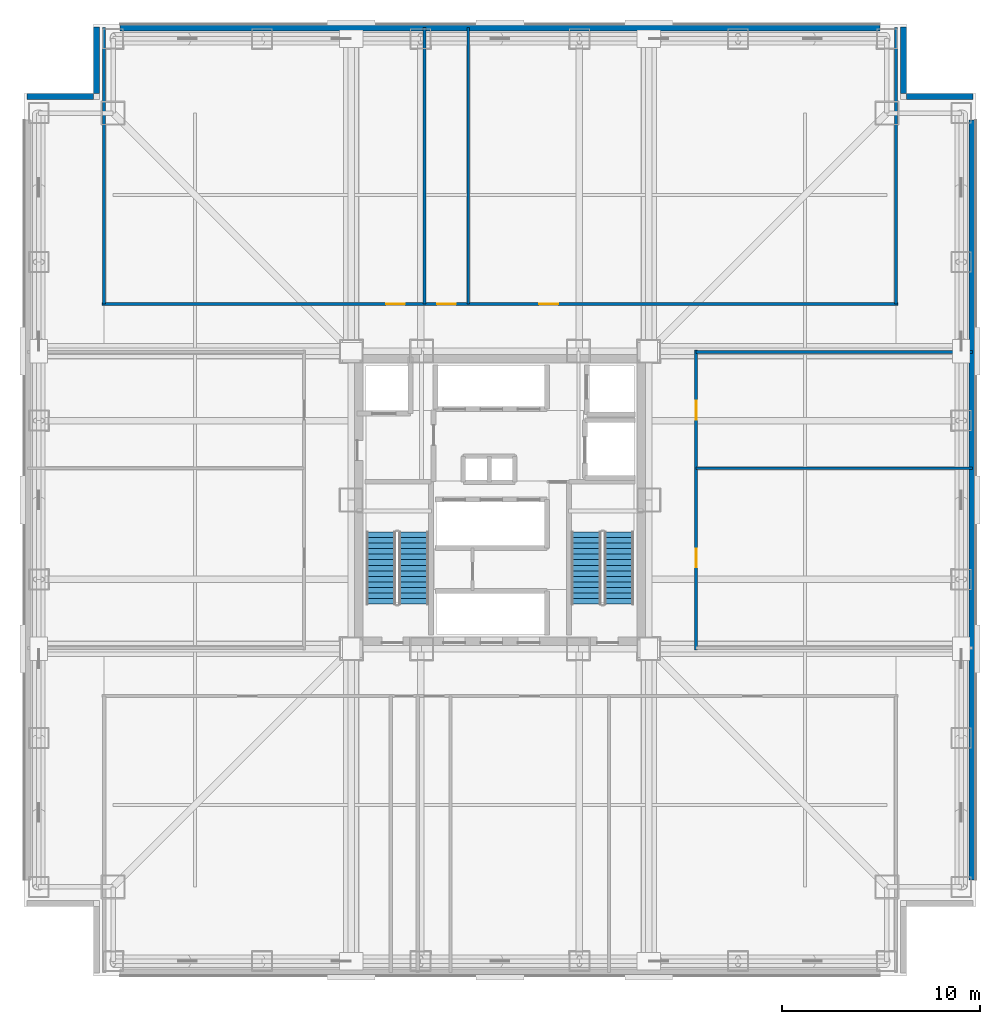
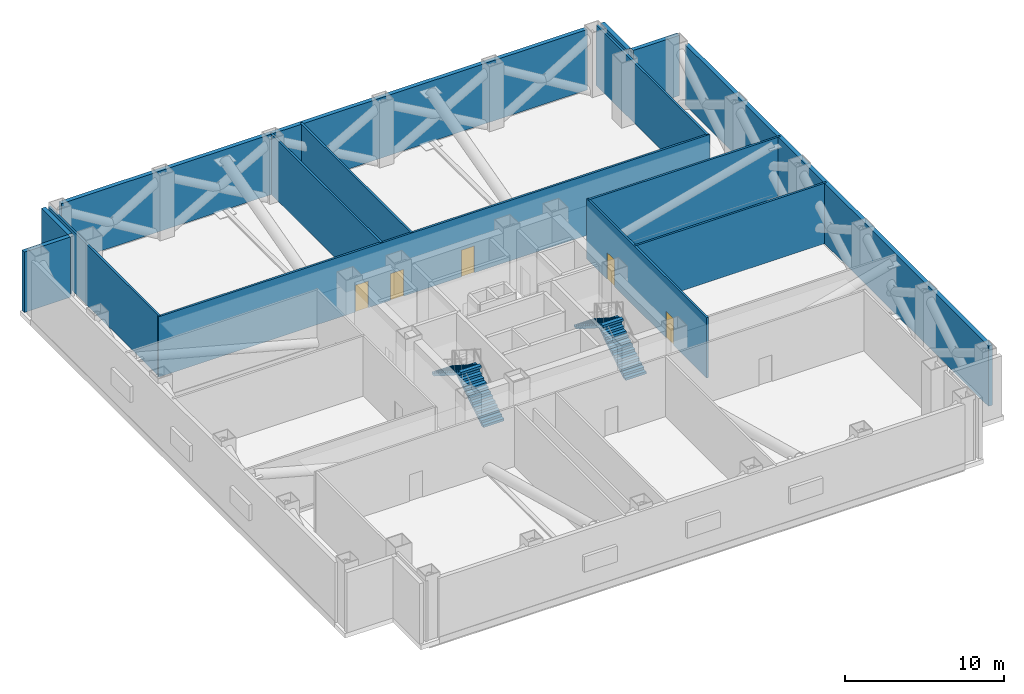
# One storey, part 5 of 8: 14 walls, 5 doors, 4 stair flights, 5 openings, 2 elements without a shape of their own.
"""IFC4 building model written with IfcOpenShell, lengths in metres."""

from ifc_helpers import new_model, si_unit, direction, frame, frame_2d, origin, place, context, subcontext, project, spatial, polyline, rectangle, outline, extrude, material, layer, layer_set, type_object, element, fill, aggregate, save


model = new_model("IFC4")

# Units and contexts
model_context = context("Model", 3, precision=1e-05, world=origin(), true_north=direction((0.0, 1.0)))
body_context = subcontext(model_context, "Body", "Model", "MODEL_VIEW")
ifc_project = project(units=[si_unit("LENGTHUNIT", "METRE"), si_unit("AREAUNIT", "SQUARE_METRE"), si_unit("VOLUMEUNIT", "CUBIC_METRE"), si_unit("PLANEANGLEUNIT", "RADIAN"), si_unit("MASSUNIT", "GRAM", prefix="KILO")], contexts=[model_context])

# Site, building, storey
site_placement = place(None, origin())
site = spatial("IfcSite", under=ifc_project, at=site_placement, CompositionType="ELEMENT")
building_placement = place(site_placement, origin())
building = spatial("IfcBuilding", under=site, at=building_placement, Name="Trevonay Congress Spire", CompositionType="ELEMENT")
storey_placement = place(building_placement, frame((0.0, 0.0, 83.0)))
storey = spatial("IfcBuildingStorey", under=building, at=storey_placement, Name="L21", CompositionType="ELEMENT", Elevation=83.0)

# Wall, openings, doors
ifc_material_1 = material(Name="Concrete C40/50", Category="concrete")
ifc_layer_1 = layer(ifc_material_1, 0.14990234375, Name="Concrete C40/50")
ifc_layer_set_1 = layer_set([ifc_layer_1], Name="Concrete C40/50")
wall_type_1 = type_object("IfcWallType", Name="WAL-CORR-150", PredefinedType="PARTITIONING", material=ifc_layer_set_1)
wall_1_placement = place(storey_placement, frame((-20.070068359375, 9.8798828125, 0.0), z_axis=(0.0, 0.0, 1.0), x_axis=(1.0, 0.0, 0.0)))
wall_1 = element("IfcWall", 1, at=wall_1_placement, inside=storey, type_object=wall_type_1, Name="L21 interior wall WP-L21N-COR", PredefinedType="PARTITIONING", context=body_context, shape_type="SweptSolid", body=[
    extrude(rectangle(XDim=40.14013671875, YDim=0.14990234375, at=frame_2d((20.070068359375, 0.0))), origin(), (0.0, 0.0, 1.0), 4.64990234375),
])
opening_1_placement = place(wall_1_placement, frame((14.324951171875, 0.0, 0.0)))
opening_1 = element("IfcOpeningElement", 2, at=opening_1_placement, cuts=wall_1, Name="Opening D07", PredefinedType="OPENING", context=body_context, shape_type="SweptSolid", body=[
    extrude(rectangle(XDim=0.949951171875, YDim=2.06005859375, at=frame_2d((0.47509765625, 1.030029296875))), frame((0.0, 0.0849609375, 0.0), z_axis=(0.0, -1.0, 0.0), x_axis=(1.0, 0.0, 0.0)), (0.0, 0.0, 1.0), 0.169921875),
])
opening_2_placement = place(wall_1_placement, frame((16.89501953125, 0.0, 0.0)))
opening_2 = element("IfcOpeningElement", 3, at=opening_2_placement, cuts=wall_1, Name="Opening D07", PredefinedType="OPENING", context=body_context, shape_type="SweptSolid", body=[
    extrude(rectangle(XDim=0.949951171875, YDim=2.06005859375, at=frame_2d((0.47509765625, 1.030029296875))), frame((0.0, 0.0849609375, 0.0), z_axis=(0.0, -1.0, 0.0), x_axis=(1.0, 0.0, 0.0)), (0.0, 0.0, 1.0), 0.169921875),
])
opening_3_placement = place(wall_1_placement, frame((22.044921875, 0.0, 0.0)))
opening_3 = element("IfcOpeningElement", 4, at=opening_3_placement, cuts=wall_1, Name="Opening D07", PredefinedType="OPENING", context=body_context, shape_type="SweptSolid", body=[
    extrude(rectangle(XDim=0.949951171875, YDim=2.06005859375, at=frame_2d((0.47509765625, 1.030029296875))), frame((0.0, 0.0849609375, 0.0), z_axis=(0.0, -1.0, 0.0), x_axis=(1.0, 0.0, 0.0)), (0.0, 0.0, 1.0), 0.169921875),
])
ifc_material_2 = material(Name="Pale Anodised Aluminium EN AW-6063-T6", Category="aluminium")
door_type = type_object("IfcDoorType", Name="DOR-OFFICE-95", OperationType="NOTDEFINED", PredefinedType="DOOR", material=ifc_material_2)
door_1_placement = place(opening_1_placement, origin())
door_1 = element("IfcDoor", 5, at=door_1_placement, inside=storey, type_object=door_type, Name="L21 Electrical HV Transformer Room Door", OperationType="SINGLE_SWING_LEFT", OverallHeight=2.06005859375, OverallWidth=0.949951171875, PredefinedType="DOOR", context=body_context, shape_type="SweptSolid", body=[
    extrude(rectangle(XDim=0.949951171875, YDim=2.06005859375, at=frame_2d((0.47509765625, 1.030029296875))), frame((0.0, 0.02490234375, 0.0), z_axis=(0.0, -1.0, 0.0), x_axis=(1.0, 0.0, 0.0)), (0.0, 0.0, 1.0), 0.050048828125),
])
fill(opening_1, door_1)
door_2_placement = place(opening_2_placement, origin())
door_2 = element("IfcDoor", 6, at=door_2_placement, inside=storey, type_object=door_type, Name="L21 Sprinkler Break-Tank and Pump Room Door", OperationType="SINGLE_SWING_RIGHT", OverallHeight=2.06005859375, OverallWidth=0.949951171875, PredefinedType="DOOR", context=body_context, shape_type="SweptSolid", body=[
    extrude(rectangle(XDim=0.949951171875, YDim=2.06005859375, at=frame_2d((0.47509765625, 1.030029296875))), frame((0.0, 0.02490234375, 0.0), z_axis=(0.0, -1.0, 0.0), x_axis=(1.0, 0.0, 0.0)), (0.0, 0.0, 1.0), 0.050048828125),
])
fill(opening_2, door_2)
door_3_placement = place(opening_3_placement, origin())
door_3 = element("IfcDoor", 7, at=door_3_placement, inside=storey, type_object=door_type, Name="L21 Smoke Extract Plenum Room Door", OperationType="SINGLE_SWING_LEFT", OverallHeight=2.06005859375, OverallWidth=0.949951171875, PredefinedType="DOOR", context=body_context, shape_type="SweptSolid", body=[
    extrude(rectangle(XDim=0.949951171875, YDim=2.06005859375, at=frame_2d((0.47509765625, 1.030029296875))), frame((0.0, 0.02490234375, 0.0), z_axis=(0.0, -1.0, 0.0), x_axis=(1.0, 0.0, 0.0)), (0.0, 0.0, 1.0), 0.050048828125),
])
fill(opening_3, door_3)

wall_2_placement = place(storey_placement, frame((9.8798828125, -7.570068359375, 0.0), z_axis=(0.0, 0.0, 1.0), x_axis=(0.0, 1.0, 0.0)))
wall_2 = element("IfcWall", 8, at=wall_2_placement, inside=storey, type_object=wall_type_1, Name="L21 interior wall WP-L21E-COR", PredefinedType="PARTITIONING", context=body_context, shape_type="SweptSolid", body=[
    extrude(rectangle(XDim=15.14013671875, YDim=0.14990234375, at=frame_2d((7.570068359375, 0.0))), origin(), (0.0, 0.0, 1.0), 4.64990234375),
])
opening_4_placement = place(wall_2_placement, frame((4.169921875, 0.0, 0.0)))
opening_4 = element("IfcOpeningElement", 9, at=opening_4_placement, cuts=wall_2, Name="Opening D07", PredefinedType="OPENING", context=body_context, shape_type="SweptSolid", body=[
    extrude(rectangle(XDim=0.949951171875, YDim=2.06005859375, at=frame_2d((0.47509765625, 1.030029296875))), frame((0.0, 0.0849609375, 0.0), z_axis=(0.0, -1.0, 0.0), x_axis=(1.0, 0.0, 0.0)), (0.0, 0.0, 1.0), 0.169921875),
])
opening_5_placement = place(wall_2_placement, frame((11.6201171875, 0.0, 0.0)))
opening_5 = element("IfcOpeningElement", 10, at=opening_5_placement, cuts=wall_2, Name="Opening D07", PredefinedType="OPENING", context=body_context, shape_type="SweptSolid", body=[
    extrude(rectangle(XDim=0.949951171875, YDim=2.06005859375, at=frame_2d((0.47509765625, 1.030029296875))), frame((0.0, 0.0849609375, 0.0), z_axis=(0.0, -1.0, 0.0), x_axis=(1.0, 0.0, 0.0)), (0.0, 0.0, 1.0), 0.169921875),
])
door_4_placement = place(opening_4_placement, origin())
door_4 = element("IfcDoor", 11, at=door_4_placement, inside=storey, type_object=door_type, Name="L21 Refuge Area East Door", OperationType="SINGLE_SWING_RIGHT", OverallHeight=2.06005859375, OverallWidth=0.949951171875, PredefinedType="DOOR", context=body_context, shape_type="SweptSolid", body=[
    extrude(rectangle(XDim=0.949951171875, YDim=2.06005859375, at=frame_2d((0.47509765625, 1.030029296875))), frame((0.0, 0.02490234375, 0.0), z_axis=(0.0, -1.0, 0.0), x_axis=(1.0, 0.0, 0.0)), (0.0, 0.0, 1.0), 0.050048828125),
])
fill(opening_4, door_4)
door_5_placement = place(opening_5_placement, origin())
door_5 = element("IfcDoor", 12, at=door_5_placement, inside=storey, type_object=door_type, Name="L21 Domestic Water Booster Room Door", OperationType="SINGLE_SWING_LEFT", OverallHeight=2.06005859375, OverallWidth=0.949951171875, PredefinedType="DOOR", context=body_context, shape_type="SweptSolid", body=[
    extrude(rectangle(XDim=0.949951171875, YDim=2.06005859375, at=frame_2d((0.47509765625, 1.030029296875))), frame((0.0, 0.02490234375, 0.0), z_axis=(0.0, -1.0, 0.0), x_axis=(1.0, 0.0, 0.0)), (0.0, 0.0, 1.0), 0.050048828125),
])
fill(opening_5, door_5)

# Walls
ifc_material_3 = material(Name="Precast concrete C40/50", Category="concrete")
ifc_layer_2 = layer(ifc_material_3, 0.300048828125, Name="Precast concrete C40/50")
ifc_layer_set_2 = layer_set([ifc_layer_2], Name="Precast concrete C40/50")
wall_type_2 = type_object("IfcWallType", Name="WAL-EXT-PRECAST-300", PredefinedType="SOLIDWALL", material=ifc_layer_set_2)
for number, where, z_axis, x_axis, name in (
    (13, (-19.14990234375, 23.800048828125, 0.0), (0.0, 0.0, 1.0), (1.0, 0.0, 0.0), "L21 N outrigger plant backup wall"),
    (14, (23.800048828125, -19.14990234375, 0.0), (0.0, 0.0, 1.0), (0.0, 1.0, 0.0), "L21 E outrigger plant backup wall"),
):
    element("IfcWall", number, at=place(storey_placement, frame(where, z_axis=z_axis, x_axis=x_axis)), inside=storey, type_object=wall_type_2, Name=name, PredefinedType="SOLIDWALL", context=body_context, shape_type="SweptSolid", body=[
        extrude(rectangle(XDim=38.2998046875, YDim=0.300048828125, at=frame_2d((19.14990234375, 0.0))), origin(), (0.0, 0.0, 1.0), 4.64990234375),
    ])
for number, where, z_axis, x_axis, name in (
    (15, (20.35009765625, 23.85009765625, 0.0), (0.0, 0.0, 1.0), (0.0, -1.0, 0.0), "L21 NE plant notch wall 1"),
    (16, (23.85009765625, 20.35009765625, 0.0), (0.0, 0.0, 1.0), (-1.0, 0.0, 0.0), "L21 NE plant notch wall 2"),
    (17, (-20.35009765625, 23.85009765625, 0.0), (0.0, 0.0, 1.0), (0.0, -1.0, 0.0), "L21 NW plant notch wall 1"),
    (18, (-23.85009765625, 20.35009765625, 0.0), (0.0, 0.0, 1.0), (1.0, 0.0, 0.0), "L21 NW plant notch wall 2"),
):
    element("IfcWall", number, at=place(storey_placement, frame(where, z_axis=z_axis, x_axis=x_axis)), inside=storey, type_object=wall_type_2, Name=name, PredefinedType="SOLIDWALL", context=body_context, shape_type="SweptSolid", body=[
        extrude(rectangle(XDim=3.35009765625, YDim=0.300048828125, at=frame_2d((1.675048828125, 0.0))), origin(), (0.0, 0.0, 1.0), 4.64990234375),
    ])
ifc_layer_3 = layer(ifc_material_1, 0.14990234375, Name="Concrete C40/50")
ifc_layer_set_3 = layer_set([ifc_layer_3], Name="Concrete C40/50")
wall_type_3 = type_object("IfcWallType", Name="WAL-PART-150", PredefinedType="PARTITIONING", material=ifc_layer_set_3)
for number, where, z_axis, x_axis, name in (
    (19, (-19.949951171875, 9.8798828125, 0.0), (0.0, 0.0, 1.0), (0.0, 1.0, 0.0), "L21 interior wall WP-L21N-DIV1"),
    (20, (-3.800048828125, 9.8798828125, 0.0), (0.0, 0.0, 1.0), (0.0, 1.0, 0.0), "L21 interior wall WP-L21N-DIV2"),
    (21, (-1.60009765625, 9.8798828125, 0.0), (0.0, 0.0, 1.0), (0.0, 1.0, 0.0), "L21 interior wall WP-L21N-DIV3"),
    (22, (19.949951171875, 9.8798828125, 0.0), (0.0, 0.0, 1.0), (0.0, 1.0, 0.0), "L21 interior wall WP-L21N-DIV4"),
    (23, (9.8798828125, 1.60009765625, 0.0), (0.0, 0.0, 1.0), (1.0, 0.0, 0.0), "L21 interior wall WP-L21E-DIV2"),
    (24, (9.8798828125, 7.449951171875, 0.0), (0.0, 0.0, 1.0), (1.0, 0.0, 0.0), "L21 interior wall WP-L21E-DIV3"),
):
    element("IfcWall", number, at=place(storey_placement, frame(where, z_axis=z_axis, x_axis=x_axis)), inside=storey, type_object=wall_type_3, Name=name, PredefinedType="PARTITIONING", context=body_context, shape_type="SweptSolid", body=[
        extrude(rectangle(XDim=13.940185546875, YDim=0.14990234375, at=frame_2d((6.97021484375, 0.0))), origin(), (0.0, 0.0, 1.0), 4.64990234375),
    ])

# Stair, stair flights
stair_type_1 = type_object("IfcStairType", Name="STR-ST-1", PredefinedType="HALF_TURN_STAIR", material=ifc_material_1)
stair_1_placement = place(storey_placement, origin())
stair_1 = element("IfcStair", 25, at=stair_1_placement, inside=storey, type_object=stair_type_1, Name="L21 Protected Exit Stair ST-1", PredefinedType="HALF_TURN_STAIR")
stair_flight_type_1 = type_object("IfcStairFlightType", Name="SFL-ST-1", PredefinedType="STRAIGHT", material=ifc_material_1)
stair_flight_1_placement = place(storey_placement, frame((-4.35009765625, -5.25, 0.0), z_axis=(0.0, 0.0, 1.0), x_axis=(0.0, 1.0, 0.0)))
stair_flight_1 = element("IfcStairFlight", 26, at=stair_flight_1_placement, type_object=stair_flight_type_1, Name="ST-1 flight 1", NumberOfRisers=14, NumberOfTreads=13, PredefinedType="STRAIGHT", RiserHeight=0.178571429, TreadLength=0.28, context=body_context, shape_type="SweptSolid", body=[
    extrude(outline(polyline([(0.0, 0.0), (0.0, 0.178466796875), (0.280029296875, 0.178466796875), (0.280029296875, 0.357177734375), (0.56005859375, 0.357177734375), (0.56005859375, 0.53564453125), (0.840087890625, 0.53564453125), (0.840087890625, 0.71435546875), (1.1201171875, 0.71435546875), (1.1201171875, 0.892822265625), (1.39990234375, 0.892822265625), (1.39990234375, 1.071533203125), (1.679931640625, 1.071533203125), (1.679931640625, 1.25), (1.9599609375, 1.25), (1.9599609375, 1.428466796875), (2.239990234375, 1.428466796875), (2.239990234375, 1.607177734375), (2.52001953125, 1.607177734375), (2.52001953125, 1.78564453125), (2.800048828125, 1.78564453125), (2.800048828125, 1.96435546875), (3.080078125, 1.96435546875), (3.080078125, 2.142822265625), (3.360107421875, 2.142822265625), (3.360107421875, 2.321533203125), (3.639892578125, 2.321533203125), (3.639892578125, 2.5), (3.639892578125, 2.1435546875), (0.27880859375, 0.0), (0.0, 0.0)])), frame((0.0, 0.75, 0.0), z_axis=(0.0, -1.0, 0.0), x_axis=(1.0, 0.0, 0.0)), (0.0, 0.0, 1.0), 1.5),
])
stair_flight_2_placement = place(storey_placement, frame((-6.0, -1.610107421875, 2.5), z_axis=(0.0, 0.0, 1.0), x_axis=(0.0, -1.0, 0.0)))
stair_flight_2 = element("IfcStairFlight", 27, at=stair_flight_2_placement, type_object=stair_flight_type_1, Name="ST-1 flight 2", NumberOfRisers=14, NumberOfTreads=13, PredefinedType="STRAIGHT", RiserHeight=0.178571429, TreadLength=0.28, context=body_context, shape_type="SweptSolid", body=[
    extrude(outline(polyline([(0.0, 0.0), (0.0, 0.178466796875), (0.280029296875, 0.178466796875), (0.280029296875, 0.357177734375), (0.56005859375, 0.357177734375), (0.56005859375, 0.53564453125), (0.840087890625, 0.53564453125), (0.840087890625, 0.71435546875), (1.1201171875, 0.71435546875), (1.1201171875, 0.892822265625), (1.39990234375, 0.892822265625), (1.39990234375, 1.071533203125), (1.679931640625, 1.071533203125), (1.679931640625, 1.25), (1.9599609375, 1.25), (1.9599609375, 1.428466796875), (2.239990234375, 1.428466796875), (2.239990234375, 1.607177734375), (2.52001953125, 1.607177734375), (2.52001953125, 1.78564453125), (2.800048828125, 1.78564453125), (2.800048828125, 1.96435546875), (3.080078125, 1.96435546875), (3.080078125, 2.142822265625), (3.360107421875, 2.142822265625), (3.360107421875, 2.321533203125), (3.639892578125, 2.321533203125), (3.639892578125, 2.5), (3.639892578125, 2.1435546875), (0.27880859375, 0.0), (0.0, 0.0)])), frame((0.0, 0.75, 0.0), z_axis=(0.0, -1.0, 0.0), x_axis=(1.0, 0.0, 0.0)), (0.0, 0.0, 1.0), 1.5),
])
aggregate(stair_1, [stair_flight_1, stair_flight_2])

stair_type_2 = type_object("IfcStairType", Name="STR-ST-2", PredefinedType="HALF_TURN_STAIR", material=ifc_material_1)
stair_2_placement = place(storey_placement, origin())
stair_2 = element("IfcStair", 28, at=stair_2_placement, inside=storey, type_object=stair_type_2, Name="L21 Protected Exit Stair ST-2", PredefinedType="HALF_TURN_STAIR")
stair_flight_type_2 = type_object("IfcStairFlightType", Name="SFL-ST-2", PredefinedType="STRAIGHT", material=ifc_material_1)
stair_flight_3_placement = place(storey_placement, frame((6.0, -5.25, 0.0), z_axis=(0.0, 0.0, 1.0), x_axis=(0.0, 1.0, 0.0)))
stair_flight_3 = element("IfcStairFlight", 29, at=stair_flight_3_placement, type_object=stair_flight_type_2, Name="ST-2 flight 1", NumberOfRisers=14, NumberOfTreads=13, PredefinedType="STRAIGHT", RiserHeight=0.178571429, TreadLength=0.28, context=body_context, shape_type="SweptSolid", body=[
    extrude(outline(polyline([(0.0, 0.0), (0.0, 0.178466796875), (0.280029296875, 0.178466796875), (0.280029296875, 0.357177734375), (0.56005859375, 0.357177734375), (0.56005859375, 0.53564453125), (0.840087890625, 0.53564453125), (0.840087890625, 0.71435546875), (1.1201171875, 0.71435546875), (1.1201171875, 0.892822265625), (1.39990234375, 0.892822265625), (1.39990234375, 1.071533203125), (1.679931640625, 1.071533203125), (1.679931640625, 1.25), (1.9599609375, 1.25), (1.9599609375, 1.428466796875), (2.239990234375, 1.428466796875), (2.239990234375, 1.607177734375), (2.52001953125, 1.607177734375), (2.52001953125, 1.78564453125), (2.800048828125, 1.78564453125), (2.800048828125, 1.96435546875), (3.080078125, 1.96435546875), (3.080078125, 2.142822265625), (3.360107421875, 2.142822265625), (3.360107421875, 2.321533203125), (3.639892578125, 2.321533203125), (3.639892578125, 2.5), (3.639892578125, 2.1435546875), (0.27880859375, 0.0), (0.0, 0.0)])), frame((0.0, 0.75, 0.0), z_axis=(0.0, -1.0, 0.0), x_axis=(1.0, 0.0, 0.0)), (0.0, 0.0, 1.0), 1.5),
])
stair_flight_4_placement = place(storey_placement, frame((4.35009765625, -1.610107421875, 2.5), z_axis=(0.0, 0.0, 1.0), x_axis=(0.0, -1.0, 0.0)))
stair_flight_4 = element("IfcStairFlight", 30, at=stair_flight_4_placement, type_object=stair_flight_type_2, Name="ST-2 flight 2", NumberOfRisers=14, NumberOfTreads=13, PredefinedType="STRAIGHT", RiserHeight=0.178571429, TreadLength=0.28, context=body_context, shape_type="SweptSolid", body=[
    extrude(outline(polyline([(0.0, 0.0), (0.0, 0.178466796875), (0.280029296875, 0.178466796875), (0.280029296875, 0.357177734375), (0.56005859375, 0.357177734375), (0.56005859375, 0.53564453125), (0.840087890625, 0.53564453125), (0.840087890625, 0.71435546875), (1.1201171875, 0.71435546875), (1.1201171875, 0.892822265625), (1.39990234375, 0.892822265625), (1.39990234375, 1.071533203125), (1.679931640625, 1.071533203125), (1.679931640625, 1.25), (1.9599609375, 1.25), (1.9599609375, 1.428466796875), (2.239990234375, 1.428466796875), (2.239990234375, 1.607177734375), (2.52001953125, 1.607177734375), (2.52001953125, 1.78564453125), (2.800048828125, 1.78564453125), (2.800048828125, 1.96435546875), (3.080078125, 1.96435546875), (3.080078125, 2.142822265625), (3.360107421875, 2.142822265625), (3.360107421875, 2.321533203125), (3.639892578125, 2.321533203125), (3.639892578125, 2.5), (3.639892578125, 2.1435546875), (0.27880859375, 0.0), (0.0, 0.0)])), frame((0.0, 0.75, 0.0), z_axis=(0.0, -1.0, 0.0), x_axis=(1.0, 0.0, 0.0)), (0.0, 0.0, 1.0), 1.5),
])
aggregate(stair_2, [stair_flight_3, stair_flight_4])

save(model, "model.ifc")
